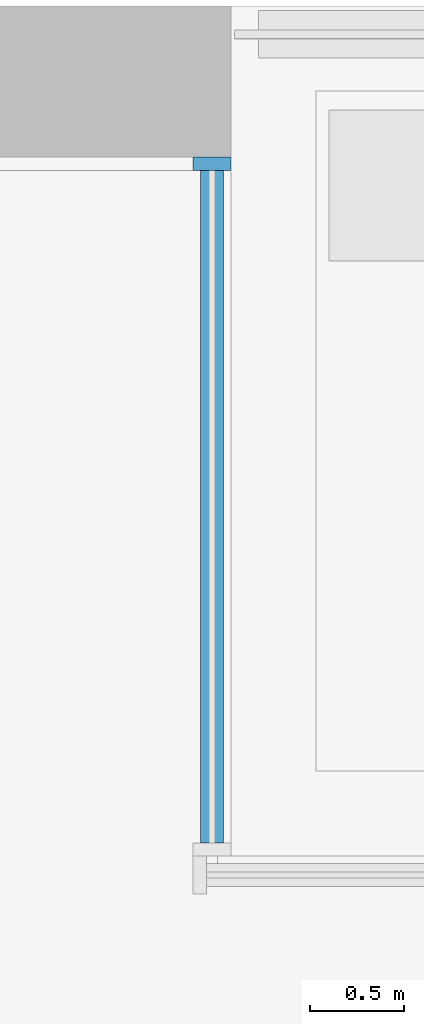
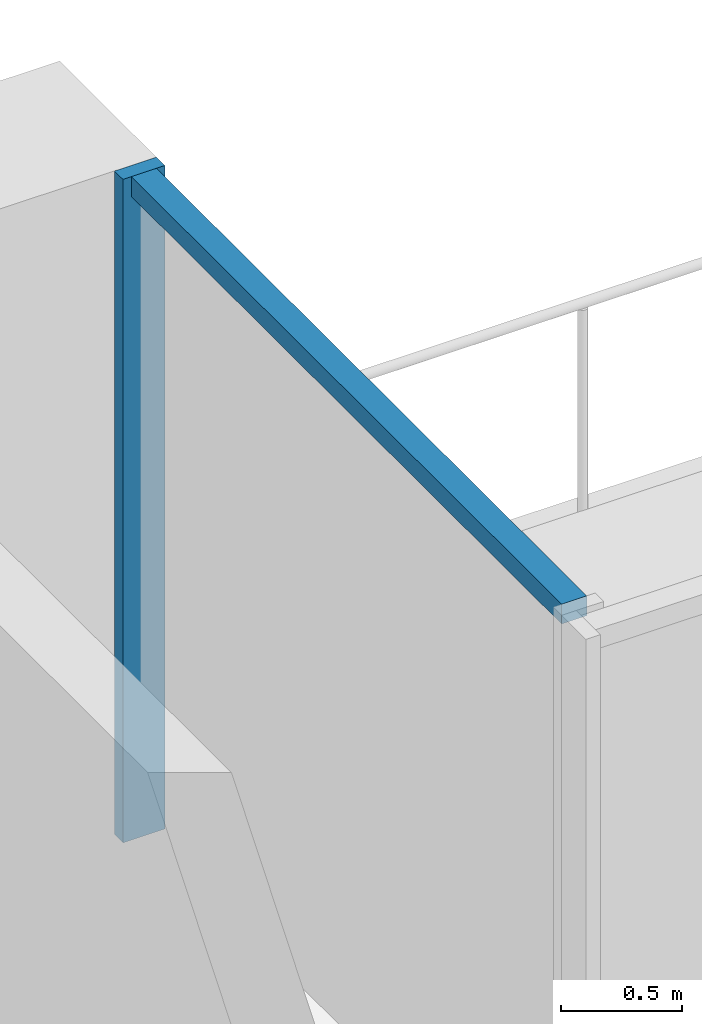
# One storey, part 6 of 18: 2 members, 1 element without a shape of its own.
"""IFC4 building model written with IfcOpenShell, lengths in metres."""

from ifc_helpers import new_model, si_unit, direction, frame, origin, origin_2d, place, context, subcontext, project, spatial, rectangle, extrude, material, material_profile, profile_set, type_object, element, aggregate, save


model = new_model("IFC4")

# Units and contexts
model_context = context("Model", 3, precision=1e-05, world=origin(), true_north=direction((0.0, 1.0)))
body_context = subcontext(model_context, "Body", "Model", "MODEL_VIEW")
ifc_project = project(units=[si_unit("LENGTHUNIT", "METRE"), si_unit("AREAUNIT", "SQUARE_METRE"), si_unit("VOLUMEUNIT", "CUBIC_METRE"), si_unit("PLANEANGLEUNIT", "RADIAN"), si_unit("MASSUNIT", "GRAM", prefix="KILO")], contexts=[model_context])

# Site, building, storey
site_placement = place(None, origin())
site = spatial("IfcSite", under=ifc_project, at=site_placement, CompositionType="ELEMENT")
building_placement = place(site_placement, origin())
building = spatial("IfcBuilding", under=site, at=building_placement, Name="Calvaro Tower", CompositionType="ELEMENT")
storey_placement = place(building_placement, frame((0.0, 0.0, 95.0)))
storey = spatial("IfcBuildingStorey", under=building, at=storey_placement, Name="L23", CompositionType="ELEMENT", Elevation=95.0)

# Curtain wall, members
ifc_material_1 = material(Name="Anodised aluminium", Category="aluminium")
curtain_wall_type = type_object("IfcCurtainWallType", Name="Office curtain wall, middle zone", PredefinedType="NOTDEFINED", material=ifc_material_1)
curtain_wall_placement = place(storey_placement, origin())
curtain_wall = element("IfcCurtainWall", 1, at=curtain_wall_placement, inside=storey, type_object=curtain_wall_type, Name="CW2 corner curtain wall", PredefinedType="NOTDEFINED")
ifc_material_2 = material(Name="Anodised aluminium", Category="aluminium")
ifc_material_profile_1 = material_profile(ifc_material_2, rectangle(XDim=0.199951171875, YDim=0.070068359375, at=origin_2d()), Name="Mullion S2 70 x 200")
ifc_profile_set_1 = profile_set([ifc_material_profile_1], Name="Anodised aluminium")
member_type_1 = type_object("IfcMemberType", Name="Mullion S2 70 x 200", PredefinedType="MULLION", material=ifc_profile_set_1)
member_1_placement = place(storey_placement, frame((66.35009765625, 45.1650390625, 0.0), z_axis=(0.0, 0.0, 1.0), x_axis=(-1.0, 0.0, 0.0)))
member_1 = element("IfcMember", 2, at=member_1_placement, type_object=member_type_1, Name="CW2 mullion 2", PredefinedType="MULLION", context=body_context, shape_type="SweptSolid", body=[
    extrude(rectangle(XDim=0.199951171875, YDim=0.070068359375, at=origin_2d()), origin(), (0.0, 0.0, 1.0), 3.35009765625),
])
ifc_material_3 = material(Name="Anodised aluminium", Category="aluminium")
ifc_material_profile_2 = material_profile(ifc_material_3, rectangle(XDim=0.1201171875, YDim=0.10009765625, at=origin_2d()), Name="Transom S2 100 x 120")
ifc_profile_set_2 = profile_set([ifc_material_profile_2], Name="Anodised aluminium")
member_type_2 = type_object("IfcMemberType", Name="Transom S2 100 x 120", PredefinedType="USERDEFINED", material=ifc_profile_set_2)
member_2_placement = place(storey_placement, frame((66.35009765625, 41.570068359375, 3.300048828125), z_axis=(0.0, 1.0, 0.0), x_axis=(-1.0, 0.0, 0.0)))
member_2 = element("IfcMember", 3, at=member_2_placement, type_object=member_type_2, Name="CW2 transom 1.1", ObjectType="TRANSOM", PredefinedType="USERDEFINED", context=body_context, shape_type="SweptSolid", body=[
    extrude(rectangle(XDim=0.1201171875, YDim=0.10009765625, at=origin_2d()), origin(), (0.0, 0.0, 1.0), 3.559814453125),
])
aggregate(curtain_wall, [member_1, member_2])

save(model, "model.ifc")
